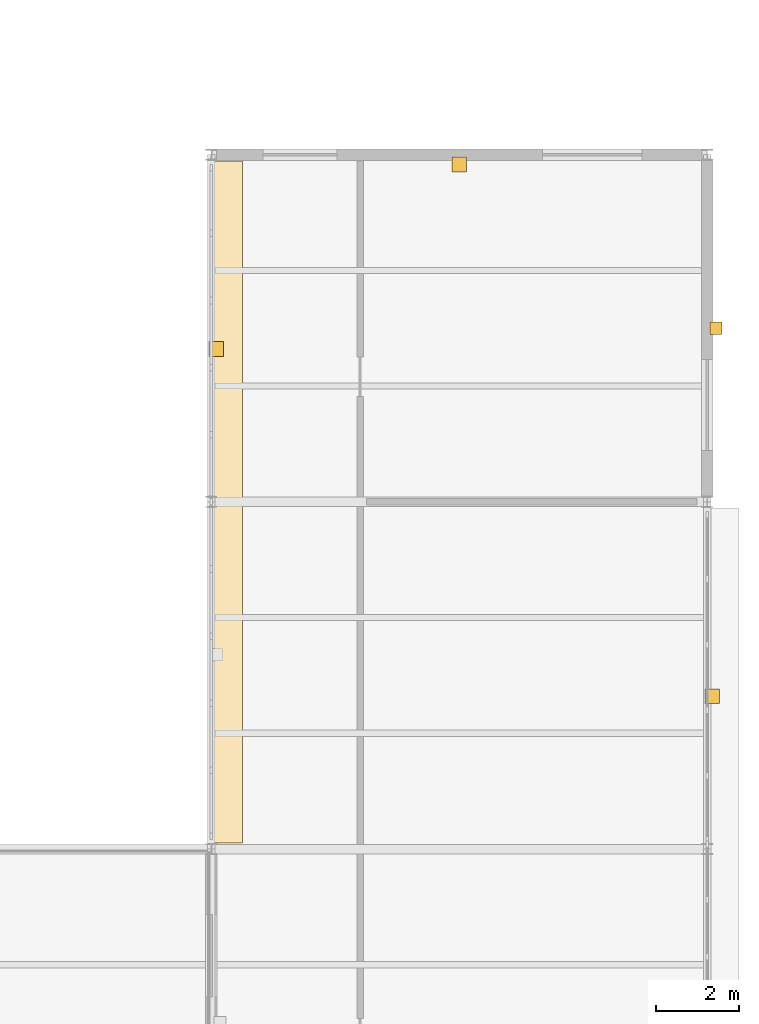
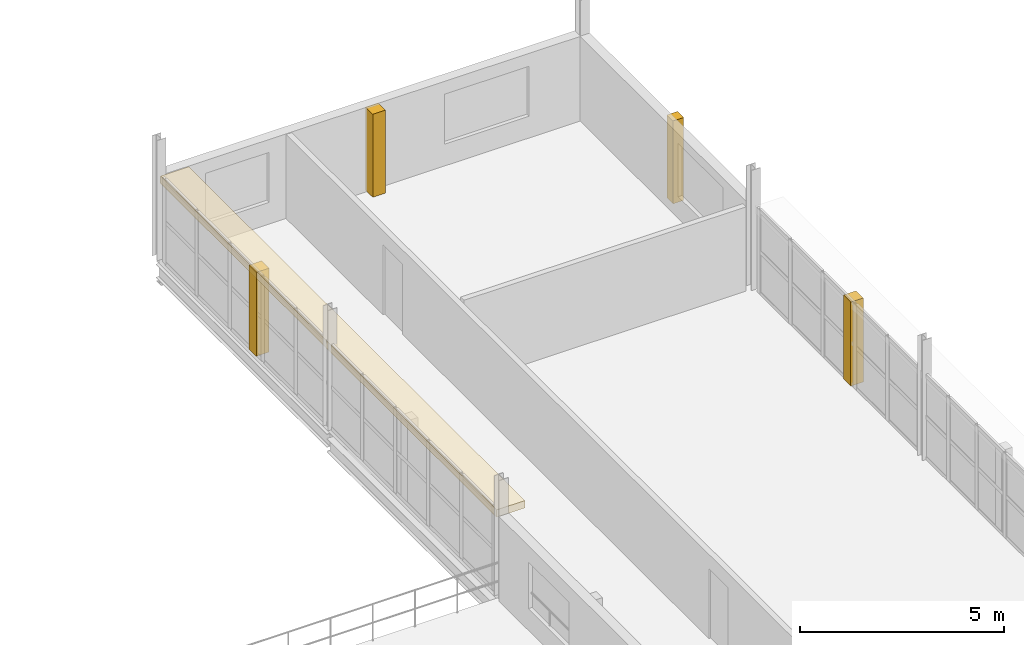
# One storey, part 74 of 74: 4 shading devices, 1 covering.
"""IFC4 building model written with IfcOpenShell, lengths in metres."""

from ifc_helpers import new_model, si_unit, direction, frame, origin, origin_2d, place, context, subcontext, project, spatial, rectangle, extrude, material, layer, layer_set, material_profile, profile_set, type_object, element, save


model = new_model("IFC4")

# Units and contexts
model_context = context("Model", 3, precision=1e-05, world=origin(), true_north=direction((0.0, 1.0)))
body_context = subcontext(model_context, "Body", "Model", "MODEL_VIEW")
ifc_project = project(units=[si_unit("LENGTHUNIT", "METRE"), si_unit("AREAUNIT", "SQUARE_METRE"), si_unit("VOLUMEUNIT", "CUBIC_METRE"), si_unit("PLANEANGLEUNIT", "RADIAN"), si_unit("MASSUNIT", "GRAM", prefix="KILO"), si_unit("THERMODYNAMICTEMPERATUREUNIT", "KELVIN"), si_unit("POWERUNIT", "WATT")], contexts=[model_context])

# Site, building, storey
site_placement = place(None, origin())
site = spatial("IfcSite", under=ifc_project, at=site_placement, CompositionType="ELEMENT")
building_placement = place(site_placement, origin())
building = spatial("IfcBuilding", under=site, at=building_placement, Name="Tembeka Court Mobility Hub", CompositionType="ELEMENT")
storey_placement = place(building_placement, frame((0.0, 0.0, 12.60009765625)))
storey = spatial("IfcBuildingStorey", under=building, at=storey_placement, Name="L03", CompositionType="ELEMENT", Elevation=12.60009765625)

# Covering
ifc_material_1 = material(Name="Dressed ochre Nairobi volcanic-tuff cladding", Category="masonry")
ifc_layer = layer(ifc_material_1, 0.0400390625)
ifc_layer_set = layer_set([ifc_layer], Name="Dressed ochre Nairobi volcanic-tuff cladding")
covering_type = type_object("IfcCoveringType", Name="COV-CD01", PredefinedType="CLADDING", material=ifc_layer_set)
covering_placement = place(storey_placement, frame((164.760009765625, 55.199951171875, 2.3046875), z_axis=(0.0, 0.0, 1.0), x_axis=(0.0, 1.0, 0.0)))
element("IfcCovering", 1, at=covering_placement, inside=storey, type_object=covering_type, Name="Projecting volcanic-tuff solar hood CVD1-H031", PredefinedType="CLADDING", context=body_context, shape_type="SweptSolid", body=[
    extrude(rectangle(XDim=16.5, YDim=0.800048828125, at=origin_2d()), origin(), (0.0, 0.0, 1.0), 0.219970703125),
])

# Shading devices
ifc_material_2 = material(Name="Bronze-anodised aluminium 6063-T6", Category="aluminium")
ifc_material_profile_1 = material_profile(ifc_material_2, rectangle(XDim=0.360107421875, YDim=0.360107421875, at=origin_2d()), Name="ALU-FIN 360x360")
ifc_profile_set_1 = profile_set([ifc_material_profile_1], Name="Bronze-anodised aluminium 6063-T6")
shading_device_type_1 = type_object("IfcShadingDeviceType", Name="SHD-FN01", PredefinedType="JALOUSIE", material=ifc_profile_set_1)
shading_device_1_placement = place(storey_placement, frame((176.52001953125, 50.49609375, 0.0), z_axis=(0.0, 0.0, 1.0), x_axis=(1.0, 0.0, 0.0)))
element("IfcShadingDevice", 2, at=shading_device_1_placement, inside=storey, type_object=shading_device_type_1, Name="Equatorial solar shading fin FN01-068", PredefinedType="JALOUSIE", context=body_context, shape_type="SweptSolid", body=[
    extrude(rectangle(XDim=0.360107421875, YDim=0.360107421875, at=origin_2d()), origin(), (0.0, 0.0, 1.0), 2.514892578125),
])
shading_device_2_placement = place(storey_placement, frame((170.39990234375, 63.360107421875, 0.0), z_axis=(0.0, 0.0, 1.0), x_axis=(1.0, 0.0, 0.0)))
element("IfcShadingDevice", 3, at=shading_device_2_placement, inside=storey, type_object=shading_device_type_1, Name="Equatorial solar shading fin FN01-070", PredefinedType="JALOUSIE", context=body_context, shape_type="SweptSolid", body=[
    extrude(rectangle(XDim=0.360107421875, YDim=0.360107421875, at=origin_2d()), origin(), (0.0, 0.0, 1.0), 2.48486328125),
])
shading_device_3_placement = place(storey_placement, frame((164.52001953125, 58.89599609375, 0.0), z_axis=(0.0, 0.0, 1.0), x_axis=(1.0, 0.0, 0.0)))
element("IfcShadingDevice", 4, at=shading_device_3_placement, inside=storey, type_object=shading_device_type_1, Name="Equatorial solar shading fin FN01-072", PredefinedType="JALOUSIE", context=body_context, shape_type="SweptSolid", body=[
    extrude(rectangle(XDim=0.360107421875, YDim=0.360107421875, at=origin_2d()), origin(), (0.0, 0.0, 1.0), 2.514892578125),
])
ifc_material_profile_2 = material_profile(ifc_material_2, rectangle(XDim=0.300048828125, YDim=0.300048828125, at=origin_2d()), Name="ALU-LVR 300x300")
ifc_profile_set_2 = profile_set([ifc_material_profile_2], Name="Bronze-anodised aluminium 6063-T6")
shading_device_type_2 = type_object("IfcShadingDeviceType", Name="SHD-LV01", PredefinedType="SHUTTER", material=ifc_profile_set_2)
shading_device_4_placement = place(storey_placement, frame((176.610107421875, 59.39990234375, 0.0), z_axis=(0.0, 0.0, 1.0), x_axis=(1.0, 0.0, 0.0)))
element("IfcShadingDevice", 5, at=shading_device_4_placement, inside=storey, type_object=shading_device_type_2, Name="Equatorial solar shading fin LV01-069", PredefinedType="SHUTTER", context=body_context, shape_type="SweptSolid", body=[
    extrude(rectangle(XDim=0.300048828125, YDim=0.300048828125, at=origin_2d()), origin(), (0.0, 0.0, 1.0), 2.48486328125),
])

save(model, "model.ifc")
